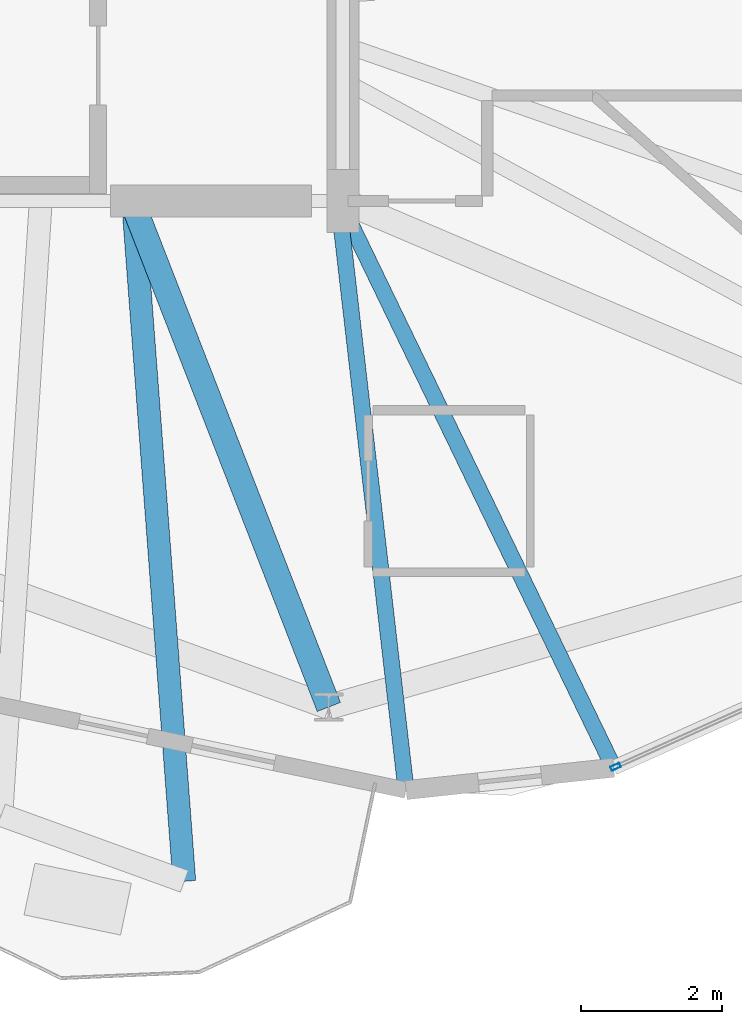
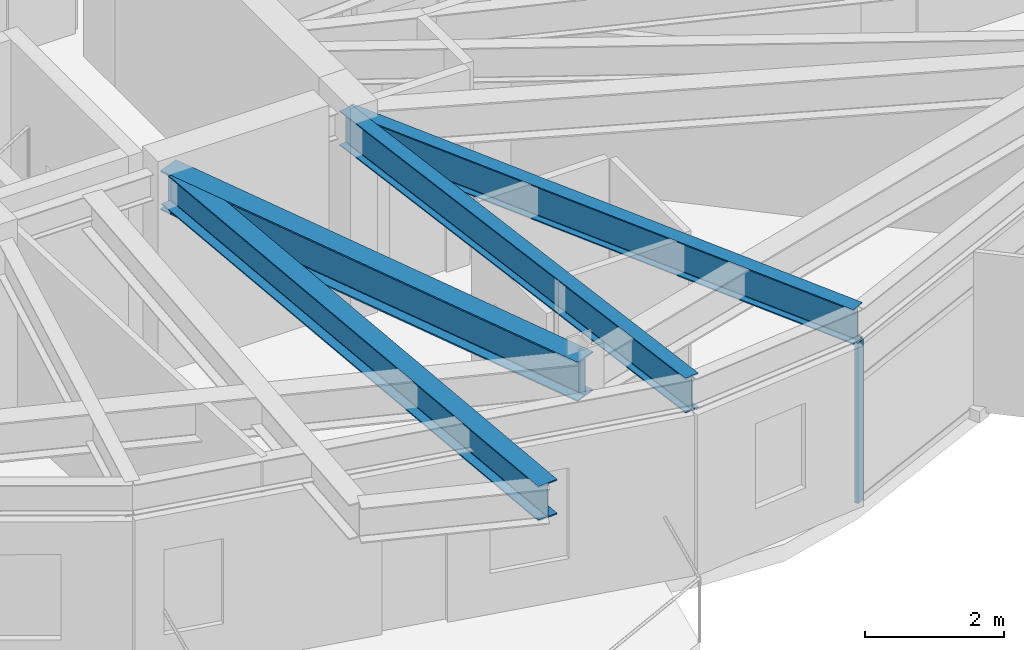
# One storey, part 5 of 23: 4 beams, 1 member, 1 element without a shape of its own.
"""IFC4 building model written with IfcOpenShell, lengths in metres."""

import ifcopenshell
import ifcopenshell.guid

model = None  # the IFC model being written
_history = None  # IfcOwnerHistory: only IFC2X3 demands one
_inside = {}  # id of a spatial element -> (the spatial element, [elements in it])
_under = {}  # id of a project, library or spatial element -> (it, [spatial elements below it])
_declared = {}  # id of a project -> (the project, [libraries it declares])
_typed = {}  # id of a type object -> (the type object, [elements of that type])
_made_of = {}  # id of a material, layer set ... -> (it, [elements and type objects made of it])


def new_model(schema):
    """Start an empty IFC model of exactly this schema.

    Asked for "IFC4X3", IfcOpenShell would pick the latest addendum, in which some entities
    have other attributes; the version numbers below select the first issue.
    IFC2X3 requires an IfcOwnerHistory on every rooted entity: one is made here for all.
    """
    global model, _history
    if schema == "IFC4X3":
        model = ifcopenshell.file(schema_version=(4, 3, 0, 0))
    else:
        model = ifcopenshell.file(schema=schema)
    _inside.clear()
    _under.clear()
    _declared.clear()
    _typed.clear()
    _made_of.clear()
    _history = None
    if model.schema == "IFC2X3":
        org = make("IfcOrganization", Name="unknown")
        user = make(
            "IfcPersonAndOrganization",
            ThePerson=make("IfcPerson", FamilyName="unknown"),
            TheOrganization=org,
        )
        app = make(
            "IfcApplication",
            ApplicationDeveloper=org,
            Version="unknown",
            ApplicationFullName="unknown",
            ApplicationIdentifier="unknown",
        )
        _history = make(
            "IfcOwnerHistory",
            OwningUser=user,
            OwningApplication=app,
            ChangeAction="ADDED",
            CreationDate=0,
        )
    return model


def make(cls, **values):
    """One entity of the class cls with the attributes given. An attribute that is None is left unset."""
    return model.create_entity(
        cls, **{name: value for name, value in values.items() if value is not None}
    )


def rooted(cls, **values):
    """An entity with a GlobalId (a new one), such as an element, a storey or a relation."""
    return make(cls, GlobalId=ifcopenshell.guid.new(), OwnerHistory=_history, **values)


def si_unit(unit_type, name, prefix=None):
    """IfcSIUnit, for example si_unit("LENGTHUNIT", "METRE", prefix="MILLI")."""
    return make("IfcSIUnit", UnitType=unit_type, Prefix=prefix, Name=name)


def assignment(units):
    """IfcUnitAssignment: the units of a project."""
    return None if units is None else make("IfcUnitAssignment", Units=units)


def point(xyz):
    """IfcCartesianPoint."""
    return None if xyz is None else make("IfcCartesianPoint", Coordinates=xyz)


def direction(xyz):
    """IfcDirection."""
    return None if xyz is None else make("IfcDirection", DirectionRatios=xyz)


def frame(location, z_axis=None, x_axis=None):
    """IfcAxis2Placement3D, a coordinate frame: its origin and axes. An axis left out is left unset."""
    return make(
        "IfcAxis2Placement3D",
        Location=point(location),
        Axis=direction(z_axis),
        RefDirection=direction(x_axis),
    )


def frame_2d(location, x_axis=None):
    """IfcAxis2Placement2D, a coordinate frame in the plane: its origin and x axis."""
    return make(
        "IfcAxis2Placement2D", Location=point(location), RefDirection=direction(x_axis)
    )


def origin():
    """The frame at (0, 0, 0) with its axes left unset."""
    return frame((0.0, 0.0, 0.0))


def origin_2d():
    """The frame at (0, 0) in the plane with its x axis left unset."""
    return frame_2d((0.0, 0.0))


def place(relative_to, where):
    """IfcLocalPlacement: puts the frame where relative to a parent placement (None: the world)."""
    return make(
        "IfcLocalPlacement", PlacementRelTo=relative_to, RelativePlacement=where
    )


def context(
    kind, dimensions, precision=None, world=None, true_north=None, identifier=None
):
    """IfcGeometricRepresentationContext, for example the 3D "Model" context."""
    return make(
        "IfcGeometricRepresentationContext",
        ContextIdentifier=identifier,
        ContextType=kind,
        CoordinateSpaceDimension=dimensions,
        Precision=precision,
        WorldCoordinateSystem=world,
        TrueNorth=true_north,
    )


def subcontext(parent, identifier, kind, view, scale=None):
    """IfcGeometricRepresentationSubContext, for example "Body" below "Model"."""
    return make(
        "IfcGeometricRepresentationSubContext",
        ContextIdentifier=identifier,
        ContextType=kind,
        ParentContext=parent,
        TargetScale=scale,
        TargetView=view,
    )


def project(units=None, contexts=None):
    """IfcProject with its units and contexts."""
    return rooted(
        "IfcProject",
        Name="project",
        RepresentationContexts=contexts,
        UnitsInContext=assignment(units),
    )


def spatial(cls, under=None, at=None, **own):
    """A site, building, storey or space (cls), placed at a placement, below another one or the project."""
    s = rooted(cls, ObjectPlacement=at, **own)
    if under is not None:
        _under.setdefault(under.id(), (under, []))[1].append(s)
    return s


def profile(cls, at=None, kind="AREA", **sizes):
    """A parametric profile (cls). Its sizes go by their IFC names, for example OverallWidth=200.0."""
    return make(cls, ProfileType=kind, Position=at, **sizes)


def hollow_rectangle(**sizes):
    """IfcRectangleHollowProfileDef."""
    return profile("IfcRectangleHollowProfileDef", **sizes)


def i_section(**sizes):
    """IfcIShapeProfileDef."""
    return profile("IfcIShapeProfileDef", **sizes)


def extrude(swept, where, along, depth):
    """IfcExtrudedAreaSolid: the profile swept, set in the frame where, extruded along a direction by depth."""
    return make(
        "IfcExtrudedAreaSolid",
        SweptArea=swept,
        Position=where,
        ExtrudedDirection=direction(along),
        Depth=depth,
    )


def shape(context_of_items, identifier, shape_type, items):
    """IfcShapeRepresentation: the items that make up one representation, for example the "Body"."""
    return make(
        "IfcShapeRepresentation",
        ContextOfItems=context_of_items,
        RepresentationIdentifier=identifier,
        RepresentationType=shape_type,
        Items=items,
    )


def material(Name=None, Category=None):
    """IfcMaterial."""
    return make("IfcMaterial", Name=Name, Category=Category)


def layer(
    of_material, thickness, ventilated=None, Name=None, Category=None, Priority=None
):
    """IfcMaterialLayer: one layer of a wall or slab, of a material (None: an air gap)."""
    return make(
        "IfcMaterialLayer",
        Material=of_material,
        LayerThickness=thickness,
        IsVentilated=ventilated,
        Name=Name,
        Category=Category,
        Priority=Priority,
    )


def layer_set(layers, Name=None):
    """IfcMaterialLayerSet."""
    return make("IfcMaterialLayerSet", MaterialLayers=layers, LayerSetName=Name)


def material_profile(
    of_material, cross_section, Name=None, Category=None, Priority=None
):
    """IfcMaterialProfile: a cross section and its material."""
    return make(
        "IfcMaterialProfile",
        Name=Name,
        Material=of_material,
        Profile=cross_section,
        Priority=Priority,
        Category=Category,
    )


def profile_set(profiles, Name=None, composite=None):
    """IfcMaterialProfileSet."""
    return make(
        "IfcMaterialProfileSet",
        Name=Name,
        MaterialProfiles=profiles,
        CompositeProfile=composite,
    )


def made_of(thing, what):
    """Note that an element or type object is made of a material, layer set ...; save() writes the relation."""
    if what is not None:
        _made_of.setdefault(what.id(), (what, []))[1].append(thing)
    return thing


def type_object(cls, material=None, **own):
    """A type object (cls), such as IfcWallType, which elements share."""
    return made_of(rooted(cls, **own), material)


def element(
    cls,
    number,
    at=None,
    inside=None,
    cuts=None,
    type_object=None,
    material=None,
    context=None,
    identifier="Body",
    shape_type=None,
    held_by="IfcProductDefinitionShape",
    body=None,
    shapes=None,
    **own,
):
    """One element of the class cls, such as IfcWall. Its Tag is "e" and its number.

    at: its placement. inside: the storey or other place that contains it. cuts: it is an
    opening in that element (IfcRelVoidsElement). A single representation is given by context,
    identifier, shape_type and body (its items); several are given by shapes. held_by: the class
    of the entity that holds the representations. save() writes the other relations.
    """
    e = rooted(cls, Tag="e%d" % number, ObjectPlacement=at, **own)
    if body is not None:
        shapes = [shape(context, identifier, shape_type, body)]
    if shapes is not None:
        e.Representation = make(held_by, Representations=shapes)
    if inside is not None:
        _inside.setdefault(inside.id(), (inside, []))[1].append(e)
    if cuts is not None:
        rooted(
            "IfcRelVoidsElement", RelatingBuildingElement=cuts, RelatedOpeningElement=e
        )
    if type_object is not None:
        _typed.setdefault(type_object.id(), (type_object, []))[1].append(e)
    return made_of(e, material)


def aggregate(whole, parts):
    """IfcRelAggregates: a whole, such as a stair, and the parts it consists of."""
    return rooted("IfcRelAggregates", RelatingObject=whole, RelatedObjects=parts)


def save(model, path):
    """Write the relations noted so far, then the file.

    IfcRelAggregates (storeys below a building ...), IfcRelContainedInSpatialStructure (elements
    in a storey), IfcRelDefinesByType, IfcRelAssociatesMaterial and IfcRelDeclares: one each for
    every whole, place, type object, material and project.
    """
    for whole, parts in _under.values():
        aggregate(whole, parts)
    for where, things in _inside.values():
        rooted(
            "IfcRelContainedInSpatialStructure",
            RelatedElements=things,
            RelatingStructure=where,
        )
    for kind, things in _typed.values():
        rooted("IfcRelDefinesByType", RelatedObjects=things, RelatingType=kind)
    for what, things in _made_of.values():
        rooted("IfcRelAssociatesMaterial", RelatedObjects=things, RelatingMaterial=what)
    for by, libraries in _declared.values():
        rooted("IfcRelDeclares", RelatingContext=by, RelatedDefinitions=libraries)
    model.write(path)


model = new_model("IFC4")

# Units and contexts
model_context = context("Model", 3, precision=1e-05, world=origin(), true_north=direction((0.0, 1.0)))
body_context = subcontext(model_context, "Body", "Model", "MODEL_VIEW")
ifc_project = project(units=[si_unit("LENGTHUNIT", "METRE"), si_unit("AREAUNIT", "SQUARE_METRE"), si_unit("VOLUMEUNIT", "CUBIC_METRE"), si_unit("PLANEANGLEUNIT", "RADIAN"), si_unit("MASSUNIT", "GRAM", prefix="KILO")], contexts=[model_context])

# Site, building, storey
site_placement = place(None, origin())
site = spatial("IfcSite", under=ifc_project, at=site_placement, CompositionType="ELEMENT")
building_placement = place(site_placement, origin())
building = spatial("IfcBuilding", under=site, at=building_placement, Name="Soratama Intermodal Tower", CompositionType="ELEMENT")
storey_placement = place(building_placement, frame((0.0, 0.0, 253.75)))
storey = spatial("IfcBuildingStorey", under=building, at=storey_placement, Name="L64", CompositionType="ELEMENT", Elevation=253.75)

# Beams
ifc_material_1 = material(Name="Structural steel ASTM A992 Grade 50", Category="steel")
ifc_material_profile_1 = material_profile(ifc_material_1, i_section(OverallWidth=0.324951171875, OverallDepth=0.615966796875, WebThickness=0.013916015625, FlangeThickness=0.021484375, FilletRadius=0.013916015625, at=origin_2d()), Name="W24X117")
ifc_profile_set_1 = profile_set([ifc_material_profile_1], Name="Structural steel ASTM A992 Grade 50")
beam_type_1 = type_object("IfcBeamType", Name="BM-CANT-W24X117", PredefinedType="BEAM", material=ifc_profile_set_1)
beam_1_placement = place(storey_placement, frame((41.6201171875, 14.9599609375, 3.14208984375), z_axis=(0.075189818089, -0.997169239024, 0.0), x_axis=(0.997169239024, 0.075189818089, 0.0)))
element("IfcBeam", 1, at=beam_1_placement, inside=storey, type_object=beam_type_1, Name="BM-L64-CANT-3-2", PredefinedType="BEAM", context=body_context, shape_type="SweptSolid", body=[
    extrude(i_section(OverallWidth=0.324951171875, OverallDepth=0.615966796875, WebThickness=0.013916015625, FlangeThickness=0.021484375, FilletRadius=0.013916015625, at=origin_2d()), origin(), (0.0, 0.0, 1.0), 9.6533203125),
])
ifc_material_2 = material(Name="Structural steel ASTM A992 Grade 50", Category="steel")
ifc_material_profile_2 = material_profile(ifc_material_2, i_section(OverallWidth=0.35498046875, OverallDepth=0.695068359375, WebThickness=0.015380859375, FlangeThickness=0.02490234375, FilletRadius=0.01611328125, at=origin_2d()), Name="W27X146")
ifc_profile_set_2 = profile_set([ifc_material_profile_2], Name="Structural steel ASTM A992 Grade 50")
beam_type_2 = type_object("IfcBeamType", Name="BM-RING-W27X146", PredefinedType="BEAM", material=ifc_profile_set_2)
beam_2_placement = place(storey_placement, frame((41.60009765625, 15.0, 3.1025390625), z_axis=(0.362907405592, -0.931825206231, 0.0), x_axis=(0.931825206231, 0.362907405592, 0.0)))
element("IfcBeam", 2, at=beam_2_placement, inside=storey, type_object=beam_type_2, Name="BM-L64-RAD-08", PredefinedType="BEAM", context=body_context, shape_type="SweptSolid", body=[
    extrude(i_section(OverallWidth=0.35498046875, OverallDepth=0.695068359375, WebThickness=0.015380859375, FlangeThickness=0.02490234375, FilletRadius=0.01611328125, at=origin_2d()), origin(), (0.0, 0.0, 1.0), 7.71484375),
])
ifc_material_3 = material(Name="Structural steel ASTM A992 Grade 50", Category="steel")
ifc_material_profile_3 = material_profile(ifc_material_3, i_section(OverallWidth=0.22900390625, OverallDepth=0.612060546875, WebThickness=0.011962890625, FlangeThickness=0.01953125, FilletRadius=0.012939453125, at=origin_2d()), Name="W24X84")
ifc_profile_set_3 = profile_set([ifc_material_profile_3], Name="Structural steel ASTM A992 Grade 50")
beam_type_3 = type_object("IfcBeamType", Name="BM-TIE-W24X84", PredefinedType="BEAM", material=ifc_profile_set_3)
beam_3_placement = place(storey_placement, frame((44.541015625, 14.9599609375, 3.14404296875), z_axis=(0.114009678424, -0.993479639059, 0.0), x_axis=(0.993479639059, 0.114009678424, 0.0)))
element("IfcBeam", 3, at=beam_3_placement, inside=storey, type_object=beam_type_3, Name="BM-L64-TIE1-06", PredefinedType="BEAM", context=body_context, shape_type="SweptSolid", body=[
    extrude(i_section(OverallWidth=0.22900390625, OverallDepth=0.612060546875, WebThickness=0.011962890625, FlangeThickness=0.01953125, FilletRadius=0.012939453125, at=origin_2d()), origin(), (0.0, 0.0, 1.0), 8.3857421875),
])
beam_4_placement = place(storey_placement, frame((44.570068359375, 14.964111328125, 3.14404296875), z_axis=(0.435396089812, -0.900238993255, 0.0), x_axis=(0.900238993255, 0.435396089812, 0.0)))
element("IfcBeam", 4, at=beam_4_placement, inside=storey, type_object=beam_type_3, Name="BM-L64-TIE0-07", PredefinedType="BEAM", context=body_context, shape_type="SweptSolid", body=[
    extrude(i_section(OverallWidth=0.22900390625, OverallDepth=0.612060546875, WebThickness=0.011962890625, FlangeThickness=0.01953125, FilletRadius=0.012939453125, at=origin_2d()), origin(), (0.0, 0.0, 1.0), 8.904541015625),
])

# Curtain wall, member
ifc_material_4 = material(Name="Double-glazed aluminium curtain wall", Category="aluminium")
ifc_layer = layer(ifc_material_4, 0.159912109375)
ifc_layer_set = layer_set([ifc_layer], Name="Double-glazed aluminium curtain wall")
curtain_wall_type = type_object("IfcCurtainWallType", Name="CW-SYS-5", PredefinedType="NOTDEFINED", material=ifc_layer_set)
curtain_wall_placement = place(storey_placement, origin())
curtain_wall = element("IfcCurtainWall", 5, at=curtain_wall_placement, inside=storey, type_object=curtain_wall_type, Name="L64 Faceted Curtain Wall F07", PredefinedType="NOTDEFINED")
ifc_material_5 = material(Name="Anodised aluminium AA 6063-T6", Category="aluminium")
ifc_material_profile_4 = material_profile(ifc_material_5, hollow_rectangle(XDim=0.06494140625, YDim=0.139892578125, WallThickness=0.0048828125, InnerFilletRadius=0.0048828125, OuterFilletRadius=0.010009765625, at=origin_2d()), Name="CWM140X65X5")
ifc_profile_set_4 = profile_set([ifc_material_profile_4], Name="Anodised aluminium AA 6063-T6")
member_type = type_object("IfcMemberType", Name="MT-CWM-5", PredefinedType="MULLION", material=ifc_profile_set_4)
member_placement = place(storey_placement, frame((48.473876953125, 6.96044921875, 0.0), z_axis=(0.0, 0.0, 1.0), x_axis=(-0.409596996905, 0.912266572952, 0.0)))
member = element("IfcMember", 6, at=member_placement, type_object=member_type, Name="CW-5 mullion 1", PredefinedType="MULLION", context=body_context, shape_type="SweptSolid", body=[
    extrude(hollow_rectangle(XDim=0.06494140625, YDim=0.139892578125, WallThickness=0.0048828125, InnerFilletRadius=0.0048828125, OuterFilletRadius=0.010009765625, at=origin_2d()), origin(), (0.0, 0.0, 1.0), 2.8291015625),
])
aggregate(curtain_wall, [member])

save(model, "model.ifc")
